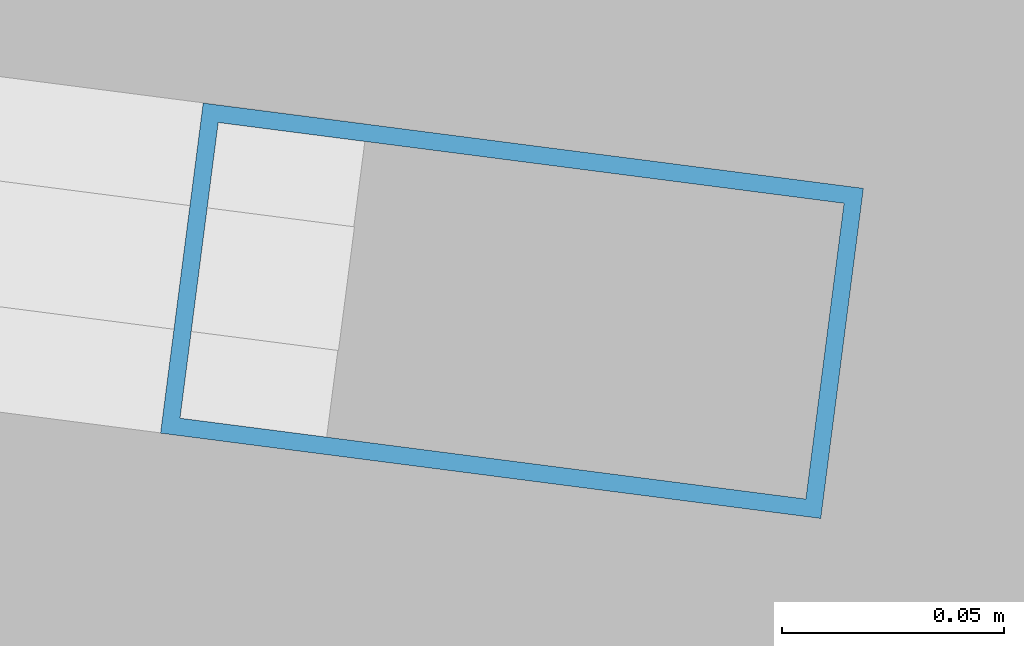
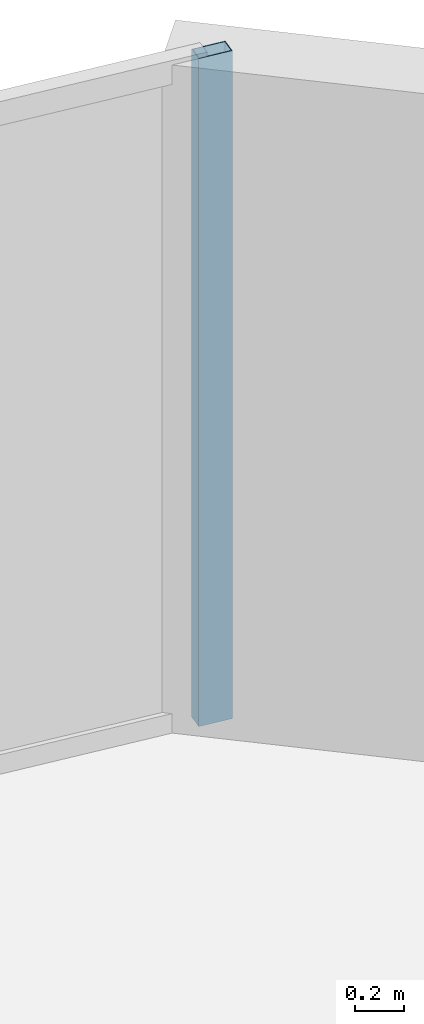
# One storey, part 19 of 32: 1 member, 1 element without a shape of its own.
"""IFC4 building model written with IfcOpenShell, lengths in metres."""

from ifc_helpers import new_model, si_unit, direction, frame, origin, origin_2d, place, context, subcontext, project, spatial, hollow_rectangle, extrude, material, layer, layer_set, material_profile, profile_set, type_object, element, aggregate, save


model = new_model("IFC4")

# Units and contexts
model_context = context("Model", 3, precision=1e-05, world=origin(), true_north=direction((0.0, 1.0)))
body_context = subcontext(model_context, "Body", "Model", "MODEL_VIEW")
ifc_project = project(units=[si_unit("LENGTHUNIT", "METRE"), si_unit("AREAUNIT", "SQUARE_METRE"), si_unit("VOLUMEUNIT", "CUBIC_METRE"), si_unit("PLANEANGLEUNIT", "RADIAN"), si_unit("MASSUNIT", "GRAM", prefix="KILO")], contexts=[model_context])

# Site, building, storey
site_placement = place(None, origin())
site = spatial("IfcSite", under=ifc_project, at=site_placement, CompositionType="ELEMENT")
building_placement = place(site_placement, origin())
building = spatial("IfcBuilding", under=site, at=building_placement, Name="Kazevale Care Tower and Concert Hall", CompositionType="ELEMENT")
storey_placement = place(building_placement, frame((0.0, 0.0, 38.39990234375)))
storey = spatial("IfcBuildingStorey", under=building, at=storey_placement, Name="L09", CompositionType="ELEMENT", Elevation=38.39990234375)

# Curtain wall, member
ifc_material_1 = material(Name="Aluminium 6063-T6 and Low-E Glass", Category="aluminium")
ifc_layer = layer(ifc_material_1, 0.179931640625)
ifc_layer_set = layer_set([ifc_layer], Name="Aluminium 6063-T6 and Low-E Glass")
curtain_wall_type = type_object("IfcCurtainWallType", Name="Convex Recessed Sunroom Curtain Wall CW-3", PredefinedType="NOTDEFINED", material=ifc_layer_set)
curtain_wall_placement = place(storey_placement, origin())
curtain_wall = element("IfcCurtainWall", 1, at=curtain_wall_placement, inside=storey, type_object=curtain_wall_type, Name="cw:L09:f16", PredefinedType="NOTDEFINED")
ifc_material_2 = material(Name="Aluminium 6063-T6", Category="aluminium")
ifc_material_profile = material_profile(ifc_material_2, hollow_rectangle(XDim=0.074951171875, YDim=0.14990234375, WallThickness=0.00390625, at=origin_2d()), Name="ALU75x150x4")
ifc_profile_set = profile_set([ifc_material_profile], Name="Aluminium 6063-T6")
member_type = type_object("IfcMemberType", Name="CW-3 Mullion ALU75x150x4", PredefinedType="MULLION", material=ifc_profile_set)
member_placement = place(storey_placement, frame((65.0029296875, 62.84375, 0.0), z_axis=(0.0, 0.0, 1.0), x_axis=(0.128086196538, 0.991763039368, 0.0)))
member = element("IfcMember", 2, at=member_placement, type_object=member_type, Name="CW-3 mullion 2", PredefinedType="MULLION", context=body_context, shape_type="SweptSolid", body=[
    extrude(hollow_rectangle(XDim=0.074951171875, YDim=0.14990234375, WallThickness=0.00390625, at=origin_2d()), origin(), (0.0, 0.0, 1.0), 3.360107421875),
])
aggregate(curtain_wall, [member])

save(model, "model.ifc")
